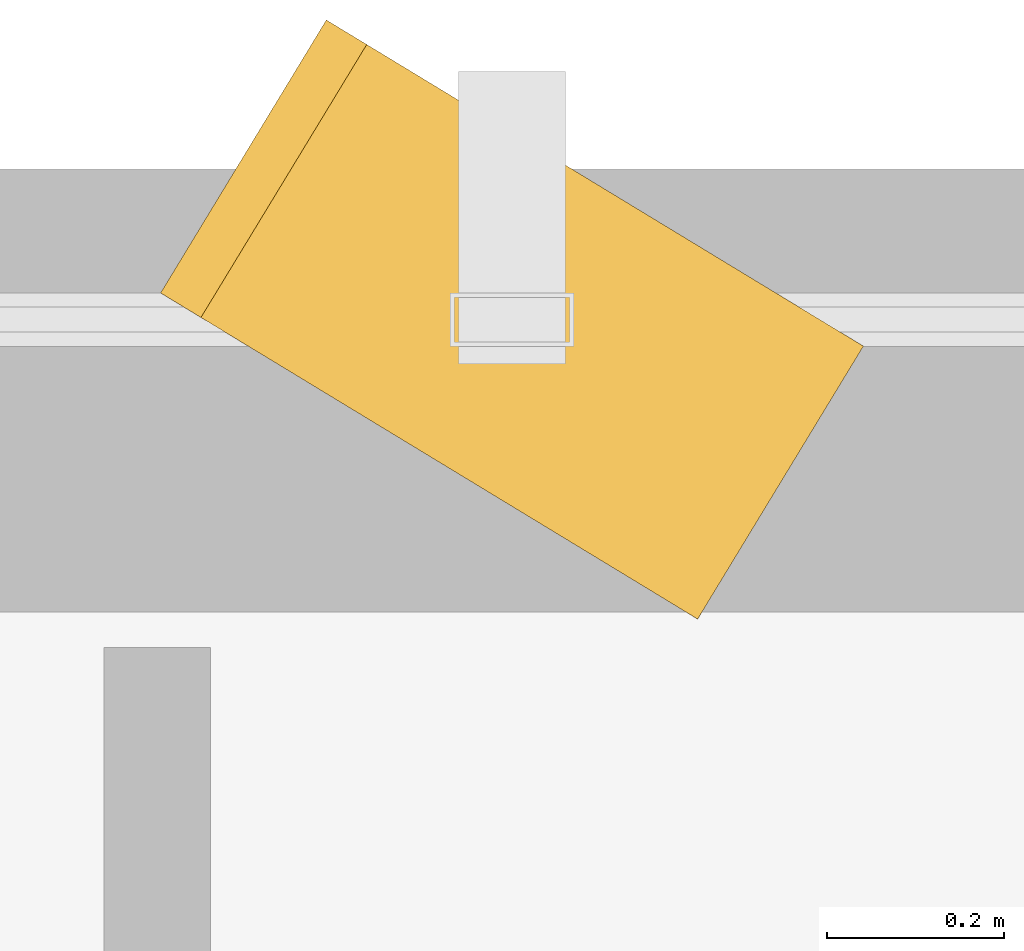
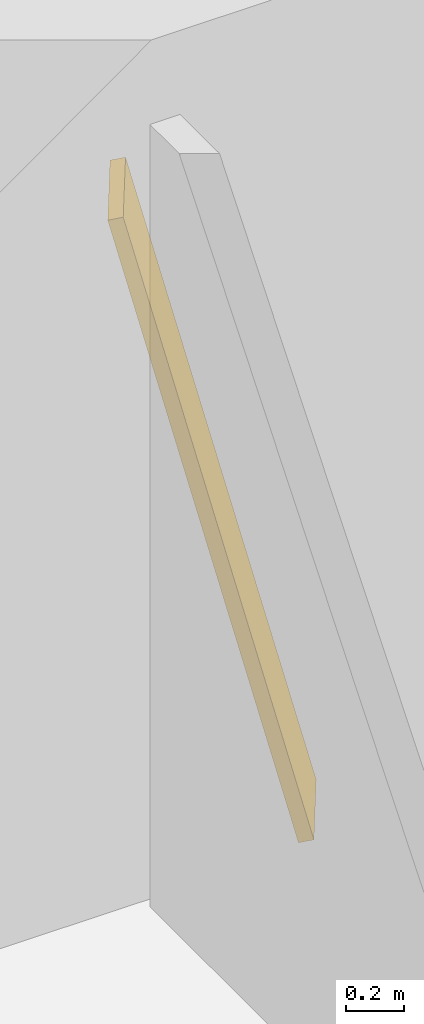
# One storey, part 31 of 32: 1 shading device.
"""IFC4 building model written with IfcOpenShell, lengths in metres."""

from ifc_helpers import new_model, si_unit, direction, frame, origin, origin_2d, place, context, subcontext, project, spatial, rectangle, extrude, source, transform, mapped, material, material_profile, profile_set, type_object, element, save


model = new_model("IFC4")

# Units and contexts
model_context = context("Model", 3, precision=1e-05, world=origin(), true_north=direction((0.0, 1.0)))
body_context = subcontext(model_context, "Body", "Model", "MODEL_VIEW")
ifc_project = project(units=[si_unit("LENGTHUNIT", "METRE"), si_unit("AREAUNIT", "SQUARE_METRE"), si_unit("VOLUMEUNIT", "CUBIC_METRE"), si_unit("PLANEANGLEUNIT", "RADIAN"), si_unit("MASSUNIT", "GRAM", prefix="KILO")], contexts=[model_context])

# Site, building, storey
site_placement = place(None, origin())
site = spatial("IfcSite", under=ifc_project, at=site_placement, CompositionType="ELEMENT")
building_placement = place(site_placement, origin())
building = spatial("IfcBuilding", under=site, at=building_placement, Name="Sumidabori Civic Tower", CompositionType="ELEMENT")
storey_placement = place(building_placement, frame((0.0, 0.0, 225.199951171875)))
storey = spatial("IfcBuildingStorey", under=building, at=storey_placement, Name="L58", CompositionType="ELEMENT", Elevation=225.199951171875)

# Shading device
ifc_material = material(Name="Anodised Bronze Aluminium AW-6063-T6", Category="aluminium")
ifc_material_profile = material_profile(ifc_material, rectangle(XDim=0.054931640625, YDim=0.360107421875, at=origin_2d()), Name="BRONZE FIN 360x55")
ifc_profile_set = profile_set([ifc_material_profile], Name="Anodised Bronze Aluminium AW-6063-T6")
shading_device_type = type_object("IfcShadingDeviceType", Name="SH-FIN-360", PredefinedType="USERDEFINED", material=ifc_profile_set)
shared_shape = source(origin(), body_context, "Body", "SweptSolid", [
    extrude(rectangle(XDim=0.054931640625, YDim=0.360107421875, at=origin_2d()), origin(), (0.0, 0.0, 1.0), 2.681396484375),
])
shading_device_placement = place(storey_placement, frame((0.280029296875, 23.7099609375, 0.02001953125), z_axis=(-0.20886903359, 0.126832852568, 0.969684048707), x_axis=(0.828839470511, -0.503301387281, 0.244362119985)))
element("IfcShadingDevice", 1, at=shading_device_placement, inside=storey, type_object=shading_device_type, Name="Bronze Anodised Diagonal Fin L58-02", ObjectType="FIN", PredefinedType="USERDEFINED", context=body_context, shape_type="MappedRepresentation", body=[
    mapped(shared_shape, transform((0.0, 0.0, 0.0), x_axis=(1.0, 0.0, 0.0), y_axis=(0.0, 1.0, 0.0), z_axis=(0.0, 0.0, 1.0), scale=1.0)),
])

save(model, "model.ifc")
